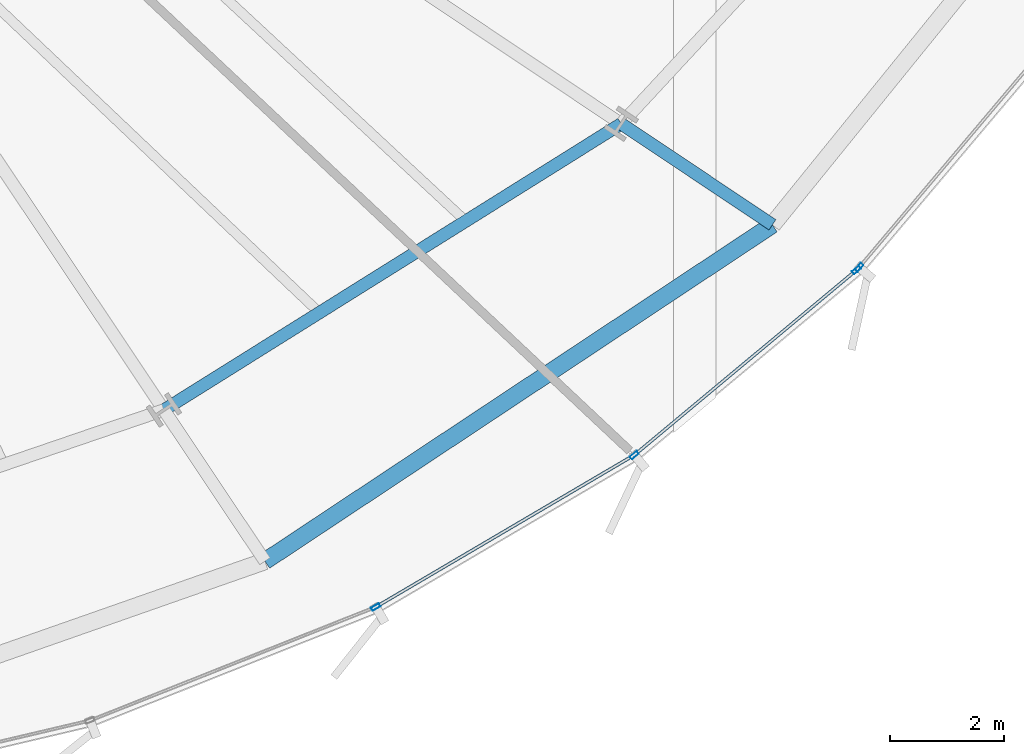
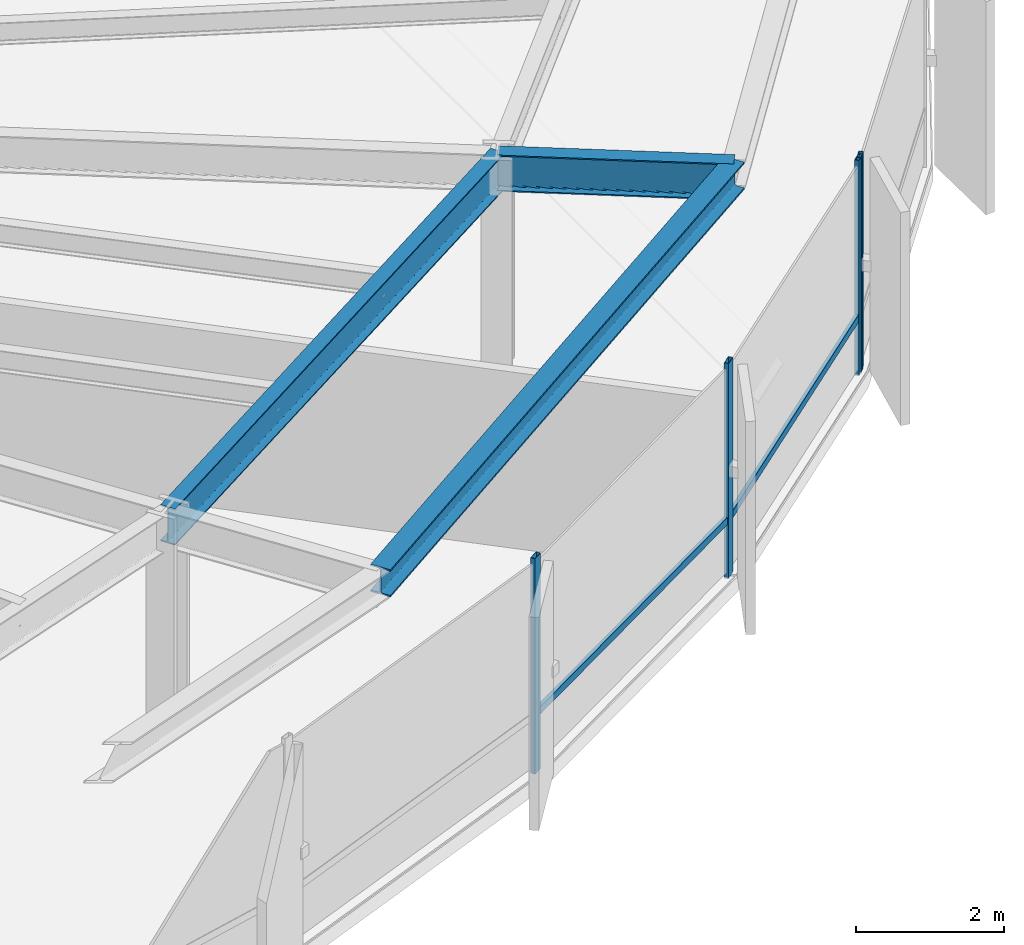
# One storey, part 13 of 39: 6 members, 3 beams, 2 elements without a shape of their own.
"""IFC4 building model written with IfcOpenShell, lengths in metres."""

from ifc_helpers import new_model, si_unit, direction, frame, origin, origin_2d, place, context, subcontext, project, spatial, hollow_rectangle, i_section, extrude, source, transform, mapped, material, layer, layer_set, material_profile, profile_set, type_object, element, aggregate, save


model = new_model("IFC4")

# Units and contexts
model_context = context("Model", 3, precision=1e-05, world=origin(), true_north=direction((0.0, 1.0)))
body_context = subcontext(model_context, "Body", "Model", "MODEL_VIEW")
ifc_project = project(units=[si_unit("LENGTHUNIT", "METRE"), si_unit("AREAUNIT", "SQUARE_METRE"), si_unit("VOLUMEUNIT", "CUBIC_METRE"), si_unit("PLANEANGLEUNIT", "RADIAN"), si_unit("MASSUNIT", "GRAM", prefix="KILO"), si_unit("THERMODYNAMICTEMPERATUREUNIT", "KELVIN")], contexts=[model_context])

# Site, building, storey
site_placement = place(None, origin())
site = spatial("IfcSite", under=ifc_project, at=site_placement, CompositionType="ELEMENT")
building_placement = place(site_placement, origin())
building = spatial("IfcBuilding", under=site, at=building_placement, Name="Kethvar Cultural Tower", CompositionType="ELEMENT")
storey_placement = place(building_placement, frame((0.0, 0.0, 33.39990234375)))
storey = spatial("IfcBuildingStorey", under=building, at=storey_placement, Name="L07", CompositionType="ELEMENT", Elevation=33.39990234375)

# Beams
ifc_material_1 = material(Name="Steel S355J2", Category="steel")
ifc_material_profile_1 = material_profile(ifc_material_1, i_section(OverallWidth=0.219970703125, OverallDepth=0.60009765625, WebThickness=0.011962890625, FlangeThickness=0.01904296875, FilletRadius=0.02392578125, at=origin_2d()), Name="Steel S355J2 — IPE600")
ifc_profile_set_1 = profile_set([ifc_material_profile_1], Name="Steel S355J2 — IPE600")
beam_type_1 = type_object("IfcBeamType", Name="BM-IPE600", PredefinedType="BEAM", material=ifc_profile_set_1)
shared_shape_1 = source(origin(), body_context, "Body", "SweptSolid", [
    extrude(i_section(OverallWidth=0.219970703125, OverallDepth=0.60009765625, WebThickness=0.011962890625, FlangeThickness=0.01904296875, FilletRadius=0.02392578125, at=origin_2d()), origin(), (0.0, 0.0, 1.0), 3.19970703125),
])
beam_1_placement = place(storey_placement, frame((67.41845703125, 14.023193359375, 3.248046875), z_axis=(0.831498187863, -0.55552746429, 0.0), x_axis=(0.55552746429, 0.831498187863, 0.0)))
element("IfcBeam", 1, at=beam_1_placement, inside=storey, type_object=beam_type_1, Name="L07 Perimeter Cantilever Beam RC-15", PredefinedType="BEAM", context=body_context, shape_type="MappedRepresentation", body=[
    mapped(shared_shape_1, transform((0.0, 0.0, 0.0), scale=1.0)),
])
shared_shape_2 = source(origin(), body_context, "Body", "SweptSolid", [
    extrude(i_section(OverallWidth=0.219970703125, OverallDepth=0.60009765625, WebThickness=0.011962890625, FlangeThickness=0.01904296875, FilletRadius=0.02392578125, at=origin_2d()), origin(), (0.0, 0.0, 1.0), 9.493896484375),
])
beam_2_placement = place(storey_placement, frame((59.370361328125, 8.987060546875, 3.248046875), z_axis=(0.847710685997, 0.530458851228, 0.0), x_axis=(-0.530458851228, 0.847710685997, 0.0)))
element("IfcBeam", 2, at=beam_2_placement, inside=storey, type_object=beam_type_1, Name="L07 Column Ring Tie Beam CR-14", PredefinedType="BEAM", context=body_context, shape_type="MappedRepresentation", body=[
    mapped(shared_shape_2, transform((0.0, 0.0, 0.0), scale=1.0)),
])
ifc_material_profile_2 = material_profile(ifc_material_1, i_section(OverallWidth=0.300048828125, OverallDepth=0.449951171875, WebThickness=0.013916015625, FlangeThickness=0.02587890625, FilletRadius=0.027099609375, at=origin_2d()), Name="Steel S355J2 — HEB450")
ifc_profile_set_2 = profile_set([ifc_material_profile_2], Name="Steel S355J2 — HEB450")
beam_type_2 = type_object("IfcBeamType", Name="BM-SP450", PredefinedType="SPANDREL", material=ifc_profile_set_2)
shared_shape_3 = source(origin(), body_context, "Body", "SweptSolid", [
    extrude(i_section(OverallWidth=0.300048828125, OverallDepth=0.449951171875, WebThickness=0.013916015625, FlangeThickness=0.02587890625, FilletRadius=0.027099609375, at=origin_2d()), origin(), (0.0, 0.0, 1.0), 10.71435546875),
])
beam_3_placement = place(storey_placement, frame((61.148193359375, 6.326416015625, 3.322998046875), z_axis=(0.833544146731, 0.552452853599, 0.0), x_axis=(-0.552452853599, 0.833544146731, 0.0)))
element("IfcBeam", 3, at=beam_3_placement, inside=storey, type_object=beam_type_2, Name="L07 Perimeter Spandrel Beam SP-14", PredefinedType="SPANDREL", context=body_context, shape_type="MappedRepresentation", body=[
    mapped(shared_shape_3, transform((0.0, 0.0, 0.0), scale=1.0)),
])

# Curtain wall, members
ifc_material_2 = material(Name="Aluminium 6063-T6", Category="aluminium")
ifc_layer = layer(ifc_material_2, 0.179931640625, Name="Aluminium 6063-T6", Category="aluminium")
ifc_layer_set = layer_set([ifc_layer], Name="Aluminium 6063-T6 (180 mm)")
curtain_wall_type = type_object("IfcCurtainWallType", Name="CW-SYS-02-Z1", PredefinedType="NOTDEFINED", material=ifc_layer_set)
curtain_wall_1_placement = place(storey_placement, origin())
curtain_wall_1 = element("IfcCurtainWall", 4, at=curtain_wall_1_placement, inside=storey, type_object=curtain_wall_type, Name="L07 Curtain Wall Run 06", PredefinedType="NOTDEFINED")
ifc_material_profile_3 = material_profile(ifc_material_2, hollow_rectangle(XDim=0.06494140625, YDim=0.159912109375, WallThickness=0.0048828125, at=origin_2d()), Name="Aluminium 6063-T6 — RHS160x65x5")
ifc_profile_set_3 = profile_set([ifc_material_profile_3], Name="Aluminium 6063-T6 — RHS160x65x5")
member_type_1 = type_object("IfcMemberType", Name="CW-SYS-02-Z1-MUL", PredefinedType="MULLION", material=ifc_profile_set_3)
shared_shape_4 = source(origin(), body_context, "Body", "SweptSolid", [
    extrude(hollow_rectangle(XDim=0.06494140625, YDim=0.159912109375, WallThickness=0.0048828125, at=origin_2d()), origin(), (0.0, 0.0, 1.0), 3.550048828125),
])
member_1_placement = place(storey_placement, frame((63.098876953125, 5.5185546875, 0.0), z_axis=(0.0, 0.0, 1.0), x_axis=(-0.507011928996, 0.861939037204, 0.0)))
member_1 = element("IfcMember", 5, at=member_1_placement, type_object=member_type_1, Name="CW-L07-R06 Mullion 5", PredefinedType="MULLION", context=body_context, shape_type="MappedRepresentation", body=[
    mapped(shared_shape_4, transform((0.0, 0.0, 0.0), scale=1.0)),
])
member_2_placement = place(storey_placement, frame((67.648681640625, 8.193115234375, 0.0), z_axis=(0.0, 0.0, 1.0), x_axis=(-0.640015831168, 0.768361722012, 0.0)))
member_2 = element("IfcMember", 6, at=member_2_placement, type_object=member_type_1, Name="CW-L07-R06 Mullion 6", PredefinedType="MULLION", context=body_context, shape_type="MappedRepresentation", body=[
    mapped(shared_shape_4, transform((0.0, 0.0, 0.0), scale=1.0)),
])
member_3_placement = place(storey_placement, frame((71.55908203125, 11.450439453125, 0.0), z_axis=(0.0, 0.0, 1.0), x_axis=(-0.640015831168, 0.768361722012, 0.0)))
member_3 = element("IfcMember", 7, at=member_3_placement, type_object=member_type_1, Name="CW-L07-R06 Mullion 7", PredefinedType="MULLION", context=body_context, shape_type="MappedRepresentation", body=[
    mapped(shared_shape_4, transform((0.0, 0.0, 0.0), scale=1.0)),
])

# Curtain wall, member
curtain_wall_2_placement = place(storey_placement, origin())
curtain_wall_2 = element("IfcCurtainWall", 8, at=curtain_wall_2_placement, inside=storey, type_object=curtain_wall_type, Name="L07 Curtain Wall Run 07", PredefinedType="NOTDEFINED")
member_4_placement = place(storey_placement, frame((71.60400390625, 11.4951171875, 0.0), z_axis=(0.0, 0.0, 1.0), x_axis=(-0.764133884775, 0.645057676599, 0.0)))
member_4 = element("IfcMember", 9, at=member_4_placement, type_object=member_type_1, Name="CW-L07-R07 Mullion 1", PredefinedType="MULLION", context=body_context, shape_type="MappedRepresentation", body=[
    mapped(shared_shape_4, transform((0.0, 0.0, 0.0), scale=1.0)),
])
aggregate(curtain_wall_2, [member_4])

# Member
ifc_material_profile_4 = material_profile(ifc_material_2, hollow_rectangle(XDim=0.054931640625, YDim=0.1201171875, WallThickness=0.00390625, at=origin_2d()), Name="Aluminium 6063-T6 — RHS120x55x4")
ifc_profile_set_4 = profile_set([ifc_material_profile_4], Name="Aluminium 6063-T6 — RHS120x55x4")
member_type_2 = type_object("IfcMemberType", Name="CW-SYS-02-Z1-TRN", PredefinedType="USERDEFINED", material=ifc_profile_set_4)
shared_shape_5 = source(origin(), body_context, "Body", "SweptSolid", [
    extrude(hollow_rectangle(XDim=0.054931640625, YDim=0.1201171875, WallThickness=0.00390625, at=origin_2d()), origin(), (0.0, 0.0, 1.0), 5.203369140625),
])
member_5_placement = place(storey_placement, frame((63.13916015625, 5.54248046875, 0.9501953125), z_axis=(0.861943864096, 0.507003723011, 0.0), x_axis=(-0.507003723011, 0.861943864096, 0.0)))
member_5 = element("IfcMember", 10, at=member_5_placement, type_object=member_type_2, Name="CW-L07-R06 Transom 5", ObjectType="TRANSOM", PredefinedType="USERDEFINED", context=body_context, shape_type="MappedRepresentation", body=[
    mapped(shared_shape_5, transform((0.0, 0.0, 0.0), scale=1.0)),
])

shared_shape_6 = source(origin(), body_context, "Body", "SweptSolid", [
    extrude(hollow_rectangle(XDim=0.054931640625, YDim=0.1201171875, WallThickness=0.00390625, at=origin_2d()), origin(), (0.0, 0.0, 1.0), 5.0380859375),
])
member_6_placement = place(storey_placement, frame((67.6845703125, 8.22314453125, 0.9501953125), z_axis=(0.76837219735, 0.640003254945, 0.0), x_axis=(-0.640003254945, 0.76837219735, 0.0)))
member_6 = element("IfcMember", 11, at=member_6_placement, type_object=member_type_2, Name="CW-L07-R06 Transom 6", ObjectType="TRANSOM", PredefinedType="USERDEFINED", context=body_context, shape_type="MappedRepresentation", body=[
    mapped(shared_shape_6, transform((0.0, 0.0, 0.0), scale=1.0)),
])

aggregate(curtain_wall_1, [member_1, member_2, member_3, member_5, member_6])

save(model, "model.ifc")
